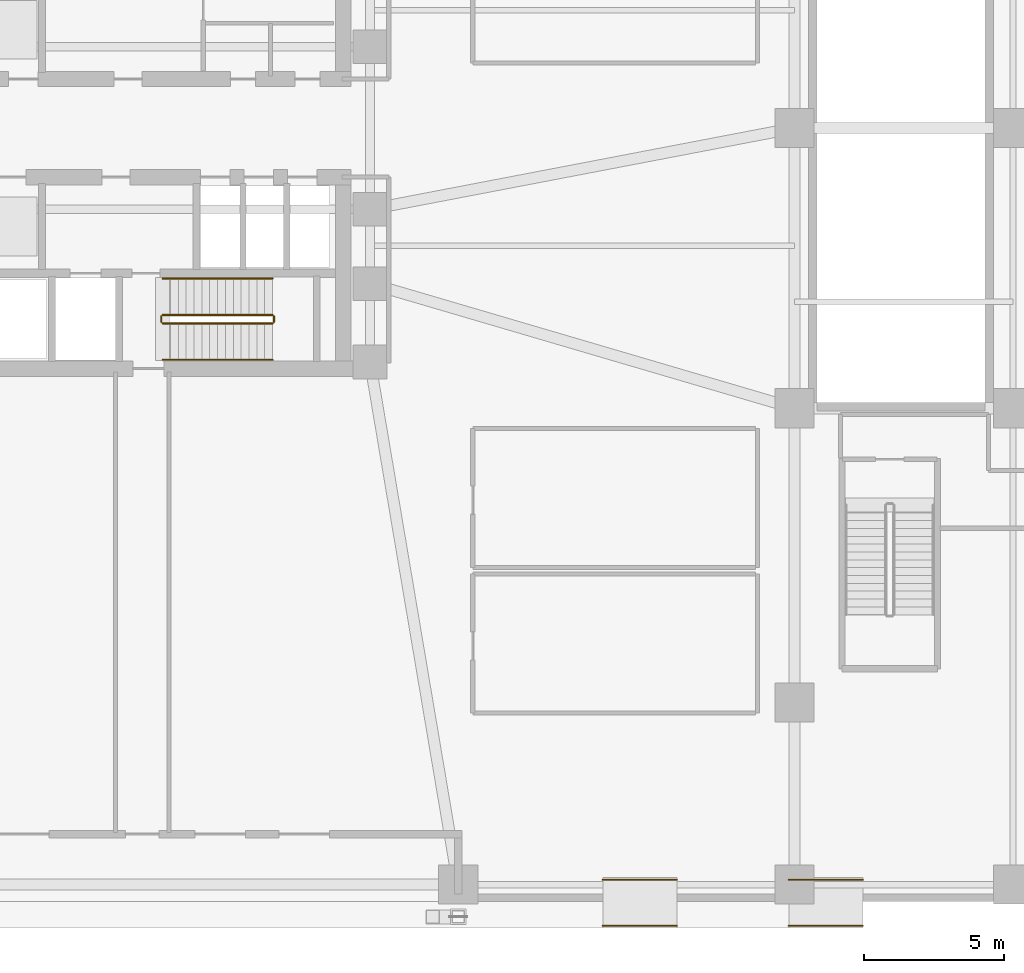
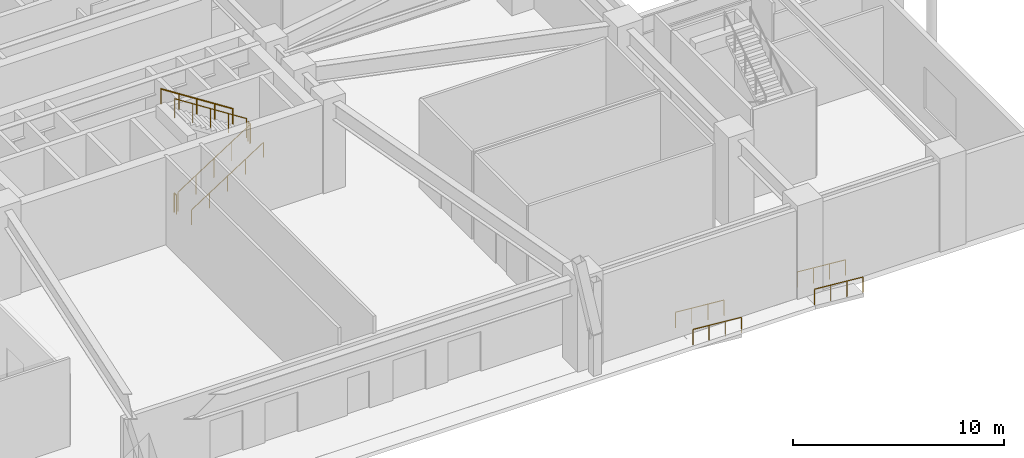
# One storey, part 16 of 20: 10 railings.
"""IFC4 building model written with IfcOpenShell, lengths in metres."""

from ifc_helpers import new_model, si_unit, direction, frame, origin, origin_2d, place, context, subcontext, project, spatial, circle, extrude, material, type_object, element, save


model = new_model("IFC4")

# Units and contexts
model_context = context("Model", 3, precision=1e-05, world=origin(), true_north=direction((0.0, 1.0)))
body_context = subcontext(model_context, "Body", "Model", "MODEL_VIEW")
ifc_project = project(units=[si_unit("LENGTHUNIT", "METRE"), si_unit("AREAUNIT", "SQUARE_METRE"), si_unit("VOLUMEUNIT", "CUBIC_METRE"), si_unit("PLANEANGLEUNIT", "RADIAN"), si_unit("MASSUNIT", "GRAM", prefix="KILO")], contexts=[model_context])

# Site, building, storey
site_placement = place(None, origin())
site = spatial("IfcSite", under=ifc_project, at=site_placement, CompositionType="ELEMENT")
building_placement = place(site_placement, origin())
building = spatial("IfcBuilding", under=site, at=building_placement, Name="Solmarez Civic Tower", CompositionType="ELEMENT")
storey_placement = place(building_placement, origin())
storey = spatial("IfcBuildingStorey", under=building, at=storey_placement, Name="L00", CompositionType="ELEMENT", Elevation=0.0)

# Railings
ifc_material_1 = material(Name="Painted Steel Stairwell Safety Guard", Category="steel")
railing_type_1 = type_object("IfcRailingType", Name="GUARD-STAIR-1120", PredefinedType="BALUSTRADE", material=ifc_material_1)
railing_1_placement = place(storey_placement, frame((1.449951171875, -6.969970703125, 0.179931640625)))
element("IfcRailing", 1, at=railing_1_placement, inside=storey, type_object=railing_type_1, Name="L00 ST-2 stair guard 1", PredefinedType="BALUSTRADE", context=body_context, shape_type="SweptSolid", body=[
    extrude(circle(Radius=0.02392578125, at=origin_2d()), frame((0.0, 0.0, 1.09619140625), z_axis=(0.841186985886, 0.0, 0.540744352514), x_axis=(0.0, 1.0, 0.0)), (0.0, 0.0, 1.0), 4.660400390625),
    extrude(circle(Radius=0.02099609375, at=origin_2d()), origin(), (0.0, 0.0, 1.0), 1.072021484375),
    extrude(circle(Radius=0.02099609375, at=origin_2d()), frame((0.97998046875, 0.0, 0.6298828125)), (0.0, 0.0, 1.0), 1.072021484375),
    extrude(circle(Radius=0.02099609375, at=origin_2d()), frame((1.9599609375, 0.0, 1.260009765625)), (0.0, 0.0, 1.0), 1.072021484375),
    extrude(circle(Radius=0.02099609375, at=origin_2d()), frame((2.940185546875, 0.0, 1.89013671875)), (0.0, 0.0, 1.0), 1.072021484375),
    extrude(circle(Radius=0.02099609375, at=origin_2d()), frame((3.920166015625, 0.0, 2.52001953125)), (0.0, 0.0, 1.0), 1.072021484375),
])
railing_2_placement = place(storey_placement, frame((5.419921875, -6.919921875, 2.699951171875)))
element("IfcRailing", 2, at=railing_2_placement, inside=storey, type_object=railing_type_1, Name="L00 ST-2 stair guard 2", PredefinedType="BALUSTRADE", context=body_context, shape_type="SweptSolid", body=[
    extrude(circle(Radius=0.02392578125, at=origin_2d()), frame((0.0, 0.0, 1.09619140625), z_axis=(0.0, 1.0, 0.0), x_axis=(-1.0, 0.0, 0.0)), (0.0, 0.0, 1.0), 0.199951171875),
    extrude(circle(Radius=0.02099609375, at=origin_2d()), origin(), (0.0, 0.0, 1.0), 1.072021484375),
    extrude(circle(Radius=0.02099609375, at=origin_2d()), frame((0.0, 0.199951171875, 0.0)), (0.0, 0.0, 1.0), 1.072021484375),
])
railing_3_placement = place(storey_placement, frame((5.3701171875, -6.669921875, 2.8798828125)))
element("IfcRailing", 3, at=railing_3_placement, inside=storey, type_object=railing_type_1, Name="L00 ST-2 stair guard 3", PredefinedType="BALUSTRADE", context=body_context, shape_type="SweptSolid", body=[
    extrude(circle(Radius=0.02392578125, at=origin_2d()), frame((0.0, 0.0, 1.09619140625), z_axis=(-0.841186985886, 0.0, 0.540744352514), x_axis=(0.0, -1.0, 0.0)), (0.0, 0.0, 1.0), 4.660400390625),
    extrude(circle(Radius=0.02099609375, at=origin_2d()), origin(), (0.0, 0.0, 1.0), 1.072021484375),
    extrude(circle(Radius=0.02099609375, at=origin_2d()), frame((-0.97998046875, 0.0, 0.6298828125)), (0.0, 0.0, 1.0), 1.072021484375),
    extrude(circle(Radius=0.02099609375, at=origin_2d()), frame((-1.9599609375, 0.0, 1.260009765625)), (0.0, 0.0, 1.0), 1.072021484375),
    extrude(circle(Radius=0.02099609375, at=origin_2d()), frame((-2.940185546875, 0.0, 1.89013671875)), (0.0, 0.0, 1.0), 1.072021484375),
    extrude(circle(Radius=0.02099609375, at=origin_2d()), frame((-3.920166015625, 0.0, 2.52001953125)), (0.0, 0.0, 1.0), 1.072021484375),
])
railing_4_placement = place(storey_placement, frame((1.39990234375, -6.919921875, 0.0)))
element("IfcRailing", 4, at=railing_4_placement, inside=storey, type_object=railing_type_1, Name="L00 ST-2 stair guard 4", PredefinedType="BALUSTRADE", context=body_context, shape_type="SweptSolid", body=[
    extrude(circle(Radius=0.02392578125, at=origin_2d()), frame((0.0, 0.0, 1.09619140625), z_axis=(0.0, 1.0, 0.0), x_axis=(-1.0, 0.0, 0.0)), (0.0, 0.0, 1.0), 0.199951171875),
    extrude(circle(Radius=0.02099609375, at=origin_2d()), origin(), (0.0, 0.0, 1.0), 1.072021484375),
    extrude(circle(Radius=0.02099609375, at=origin_2d()), frame((0.0, 0.199951171875, 0.0)), (0.0, 0.0, 1.0), 1.072021484375),
])
ifc_material_2 = material(Name="Brushed Stainless Steel Ramp Handrail", Category="steel")
railing_type_2 = type_object("IfcRailingType", Name="HANDRAIL-RAMP-920", PredefinedType="HANDRAIL", material=ifc_material_2)
for number, where, name in (
    (5, (19.800048828125, -26.830078125, -0.219970703125), "South-Central East Plaza Accessible Ramp AR5 Side Handrail 1"),
    (6, (19.800048828125, -28.469970703125, -0.219970703125), "South-Central East Plaza Accessible Ramp AR5 Side Handrail 2"),
):
    element("IfcRailing", number, at=place(storey_placement, frame(where)), inside=storey, type_object=railing_type_2, Name=name, PredefinedType="HANDRAIL", context=body_context, shape_type="SweptSolid", body=[
        extrude(circle(Radius=0.02392578125, at=origin_2d()), frame((0.0, 0.0, 0.89599609375), z_axis=(-0.99654702921, 0.0, 0.083030226865), x_axis=(0.0, -1.0, 0.0)), (0.0, 0.0, 1.0), 2.649169921875),
        extrude(circle(Radius=0.02099609375, at=origin_2d()), origin(), (0.0, 0.0, 1.0), 0.871826171875),
        extrude(circle(Radius=0.02099609375, at=origin_2d()), frame((-0.880126953125, 0.0, 0.0732421875)), (0.0, 0.0, 1.0), 0.871826171875),
        extrude(circle(Radius=0.02099609375, at=origin_2d()), frame((-1.760009765625, 0.0, 0.146728515625)), (0.0, 0.0, 1.0), 0.871826171875),
        extrude(circle(Radius=0.02099609375, at=origin_2d()), frame((-2.64013671875, 0.0, 0.219970703125)), (0.0, 0.0, 1.0), 0.871826171875),
    ])
for number, where, name in (
    (7, (26.43994140625, -26.830078125, -0.219970703125), "South-East Plaza Accessible Ramp AR2 Side Handrail 1"),
    (8, (26.43994140625, -28.469970703125, -0.219970703125), "South-East Plaza Accessible Ramp AR2 Side Handrail 2"),
):
    element("IfcRailing", number, at=place(storey_placement, frame(where)), inside=storey, type_object=railing_type_2, Name=name, PredefinedType="HANDRAIL", context=body_context, shape_type="SweptSolid", body=[
        extrude(circle(Radius=0.02392578125, at=origin_2d()), frame((0.0, 0.0, 0.89599609375), z_axis=(-0.996546393815, 0.0, 0.083037852661), x_axis=(0.0, -1.0, 0.0)), (0.0, 0.0, 1.0), 2.64892578125),
        extrude(circle(Radius=0.02099609375, at=origin_2d()), origin(), (0.0, 0.0, 1.0), 0.871826171875),
        extrude(circle(Radius=0.02099609375, at=origin_2d()), frame((-0.8798828125, 0.0, 0.0732421875)), (0.0, 0.0, 1.0), 0.871826171875),
        extrude(circle(Radius=0.02099609375, at=origin_2d()), frame((-1.760009765625, 0.0, 0.146728515625)), (0.0, 0.0, 1.0), 0.871826171875),
        extrude(circle(Radius=0.02099609375, at=origin_2d()), frame((-2.639892578125, 0.0, 0.219970703125)), (0.0, 0.0, 1.0), 0.871826171875),
    ])
ifc_material_3 = material(Name="Brushed Stainless Steel Tube Handrail", Category="steel")
railing_type_3 = type_object("IfcRailingType", Name="HANDRAIL-STAIR-900", PredefinedType="HANDRAIL", material=ifc_material_3)
railing_5_placement = place(storey_placement, frame((1.449951171875, -8.27001953125, 0.179931640625)))
element("IfcRailing", 9, at=railing_5_placement, inside=storey, type_object=railing_type_3, Name="L00 ST-2 stair handrail 1", PredefinedType="HANDRAIL", context=body_context, shape_type="SweptSolid", body=[
    extrude(circle(Radius=0.02392578125, at=origin_2d()), frame((0.0, 0.0, 0.8759765625), z_axis=(0.841186985886, 0.0, 0.540744352514), x_axis=(0.0, 1.0, 0.0)), (0.0, 0.0, 1.0), 4.660400390625),
    extrude(circle(Radius=0.02099609375, at=origin_2d()), origin(), (0.0, 0.0, 1.0), 0.851806640625),
    extrude(circle(Radius=0.02099609375, at=origin_2d()), frame((0.97998046875, 0.0, 0.6298828125)), (0.0, 0.0, 1.0), 0.851806640625),
    extrude(circle(Radius=0.02099609375, at=origin_2d()), frame((1.9599609375, 0.0, 1.260009765625)), (0.0, 0.0, 1.0), 0.851806640625),
    extrude(circle(Radius=0.02099609375, at=origin_2d()), frame((2.940185546875, 0.0, 1.89013671875)), (0.0, 0.0, 1.0), 0.851806640625),
    extrude(circle(Radius=0.02099609375, at=origin_2d()), frame((3.920166015625, 0.0, 2.52001953125)), (0.0, 0.0, 1.0), 0.851806640625),
])
railing_6_placement = place(storey_placement, frame((5.3701171875, -5.3701171875, 2.8798828125)))
element("IfcRailing", 10, at=railing_6_placement, inside=storey, type_object=railing_type_3, Name="L00 ST-2 stair handrail 2", PredefinedType="HANDRAIL", context=body_context, shape_type="SweptSolid", body=[
    extrude(circle(Radius=0.02392578125, at=origin_2d()), frame((0.0, 0.0, 0.8759765625), z_axis=(-0.841186985886, 0.0, 0.540744352514), x_axis=(0.0, -1.0, 0.0)), (0.0, 0.0, 1.0), 4.660400390625),
    extrude(circle(Radius=0.02099609375, at=origin_2d()), origin(), (0.0, 0.0, 1.0), 0.851806640625),
    extrude(circle(Radius=0.02099609375, at=origin_2d()), frame((-0.97998046875, 0.0, 0.6298828125)), (0.0, 0.0, 1.0), 0.851806640625),
    extrude(circle(Radius=0.02099609375, at=origin_2d()), frame((-1.9599609375, 0.0, 1.260009765625)), (0.0, 0.0, 1.0), 0.851806640625),
    extrude(circle(Radius=0.02099609375, at=origin_2d()), frame((-2.940185546875, 0.0, 1.89013671875)), (0.0, 0.0, 1.0), 0.851806640625),
    extrude(circle(Radius=0.02099609375, at=origin_2d()), frame((-3.920166015625, 0.0, 2.52001953125)), (0.0, 0.0, 1.0), 0.851806640625),
])

save(model, "model.ifc")
